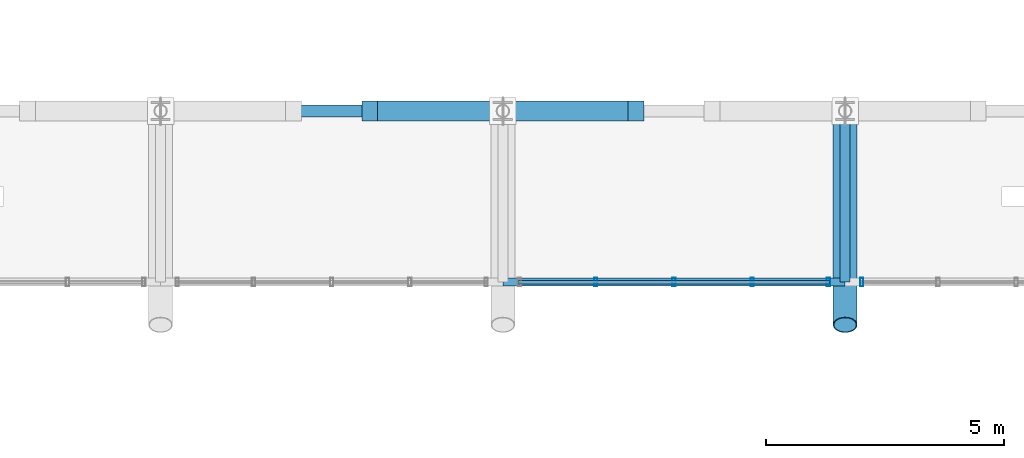
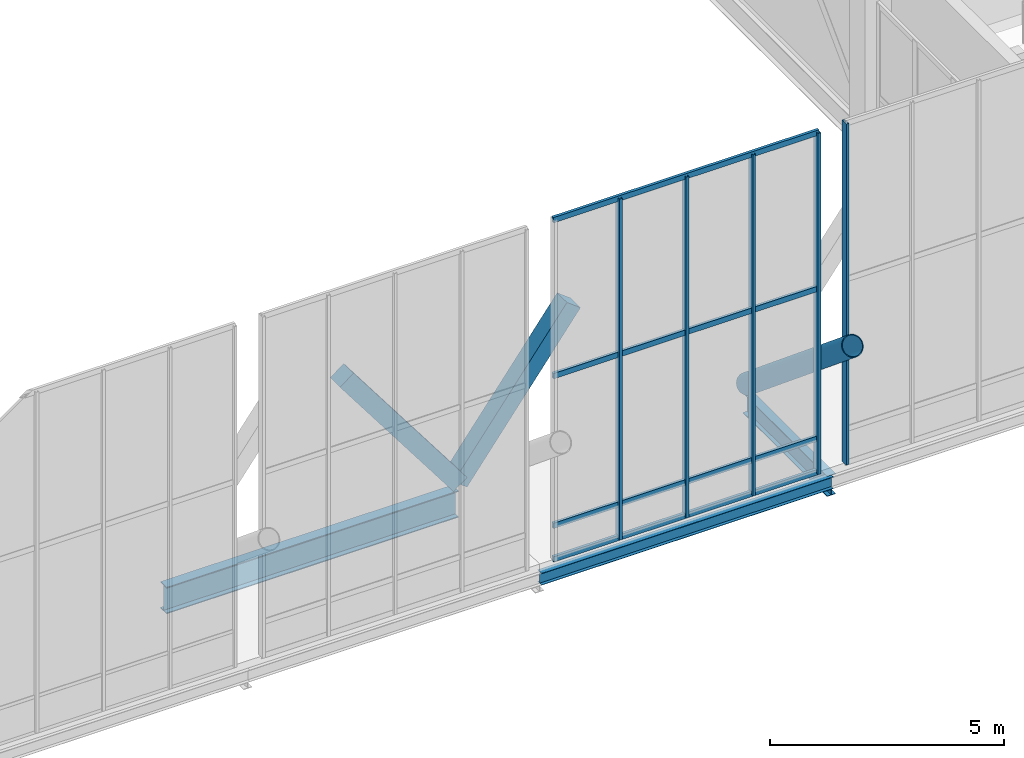
# One storey, part 43 of 102: 12 members, 3 beams, 2 elements without a shape of their own.
"""IFC4 building model written with IfcOpenShell, lengths in metres."""

from ifc_helpers import new_model, si_unit, direction, frame, origin, origin_2d, place, context, subcontext, project, spatial, rectangle, hollow_rectangle, hollow_circle, i_section, extrude, material, material_profile, profile_set, type_object, element, aggregate, save


model = new_model("IFC4")

# Units and contexts
model_context = context("Model", 3, precision=1e-05, world=origin(), true_north=direction((0.0, 1.0)))
body_context = subcontext(model_context, "Body", "Model", "MODEL_VIEW")
ifc_project = project(units=[si_unit("LENGTHUNIT", "METRE"), si_unit("AREAUNIT", "SQUARE_METRE"), si_unit("VOLUMEUNIT", "CUBIC_METRE"), si_unit("PLANEANGLEUNIT", "RADIAN"), si_unit("MASSUNIT", "GRAM", prefix="KILO")], contexts=[model_context])

# Site, building, storey
site_placement = place(None, origin())
site = spatial("IfcSite", under=ifc_project, at=site_placement, CompositionType="ELEMENT")
building_placement = place(site_placement, origin())
building = spatial("IfcBuilding", under=site, at=building_placement, Name="Yarey Park Central Fire Station", CompositionType="ELEMENT")
storey_placement = place(building_placement, frame((0.0, 0.0, 6.0)))
storey = spatial("IfcBuildingStorey", under=building, at=storey_placement, Name="L02", CompositionType="ELEMENT", Elevation=6.0)

# Curtain wall, members
ifc_material_1 = material(Name="Anodized Aluminium Frame", Category="aluminium")
curtain_wall_type = type_object("IfcCurtainWallType", Name="ENV_CW_CLER_9M", PredefinedType="NOTDEFINED", material=ifc_material_1)
curtain_wall_1_placement = place(storey_placement, origin())
curtain_wall_1 = element("IfcCurtainWall", 1, at=curtain_wall_1_placement, inside=storey, type_object=curtain_wall_type, Name="CW_V2_CLER_N_07", PredefinedType="NOTDEFINED")
ifc_material_profile_1 = material_profile(ifc_material_1, hollow_rectangle(XDim=0.070068359375, YDim=0.179931640625, WallThickness=0.00390625, at=origin_2d()), Name="ALU 180x70x4")
ifc_profile_set_1 = profile_set([ifc_material_profile_1], Name="Anodized Aluminium Frame")
member_type_1 = type_object("IfcMemberType", Name="ENV_CW_MULLION", PredefinedType="MULLION", material=ifc_profile_set_1)
member_1_placement = place(storey_placement, frame((107.64990234375, 90.0, 0.0), z_axis=(0.0, 0.0, 1.0), x_axis=(1.0, 0.0, 0.0)))
member_1 = element("IfcMember", 2, at=member_1_placement, type_object=member_type_1, Name="CW_V2_CLER_N_07_MUL1", PredefinedType="MULLION", context=body_context, shape_type="SweptSolid", body=[
    extrude(hollow_rectangle(XDim=0.070068359375, YDim=0.179931640625, WallThickness=0.00390625, at=origin_2d()), origin(), (0.0, 0.0, 1.0), 8.89990234375),
])
member_2_placement = place(storey_placement, frame((106.044921875, 90.0, 0.0), z_axis=(0.0, 0.0, 1.0), x_axis=(1.0, 0.0, 0.0)))
member_2 = element("IfcMember", 3, at=member_2_placement, type_object=member_type_1, Name="CW_V2_CLER_N_07_MUL2", PredefinedType="MULLION", context=body_context, shape_type="SweptSolid", body=[
    extrude(hollow_rectangle(XDim=0.070068359375, YDim=0.179931640625, WallThickness=0.00390625, at=origin_2d()), origin(), (0.0, 0.0, 1.0), 8.89990234375),
])
member_3_placement = place(storey_placement, frame((104.39990234375, 90.0, 0.0), z_axis=(0.0, 0.0, 1.0), x_axis=(1.0, 0.0, 0.0)))
member_3 = element("IfcMember", 4, at=member_3_placement, type_object=member_type_1, Name="CW_V2_CLER_N_07_MUL3", PredefinedType="MULLION", context=body_context, shape_type="SweptSolid", body=[
    extrude(hollow_rectangle(XDim=0.070068359375, YDim=0.179931640625, WallThickness=0.00390625, at=origin_2d()), origin(), (0.0, 0.0, 1.0), 8.89990234375),
])
member_4_placement = place(storey_placement, frame((102.7548828125, 90.0, 0.0), z_axis=(0.0, 0.0, 1.0), x_axis=(1.0, 0.0, 0.0)))
member_4 = element("IfcMember", 5, at=member_4_placement, type_object=member_type_1, Name="CW_V2_CLER_N_07_MUL4", PredefinedType="MULLION", context=body_context, shape_type="SweptSolid", body=[
    extrude(hollow_rectangle(XDim=0.070068359375, YDim=0.179931640625, WallThickness=0.00390625, at=origin_2d()), origin(), (0.0, 0.0, 1.0), 8.89990234375),
])

# Curtain wall, member
curtain_wall_2_placement = place(storey_placement, origin())
curtain_wall_2 = element("IfcCurtainWall", 6, at=curtain_wall_2_placement, inside=storey, type_object=curtain_wall_type, Name="CW_V2_CLER_N_08", PredefinedType="NOTDEFINED")
member_5_placement = place(storey_placement, frame((108.35009765625, 90.0, 0.0), z_axis=(0.0, 0.0, 1.0), x_axis=(1.0, 0.0, 0.0)))
member_5 = element("IfcMember", 7, at=member_5_placement, type_object=member_type_1, Name="CW_V2_CLER_N_08_MUL5", PredefinedType="MULLION", context=body_context, shape_type="SweptSolid", body=[
    extrude(hollow_rectangle(XDim=0.070068359375, YDim=0.179931640625, WallThickness=0.00390625, at=origin_2d()), origin(), (0.0, 0.0, 1.0), 8.89990234375),
])
aggregate(curtain_wall_2, [member_5])

# Member
ifc_material_profile_2 = material_profile(ifc_material_1, hollow_rectangle(XDim=0.070068359375, YDim=0.139892578125, WallThickness=0.00390625, at=origin_2d()), Name="ALU 140x70x4")
ifc_profile_set_2 = profile_set([ifc_material_profile_2], Name="Anodized Aluminium Frame")
member_type_2 = type_object("IfcMemberType", Name="ENV_CW_TRANSOM", PredefinedType="USERDEFINED", material=ifc_profile_set_2)
member_6_placement = place(storey_placement, frame((107.675048828125, 90.0, 0.02490234375), z_axis=(-1.0, 0.0, 0.0), x_axis=(0.0, -1.0, 0.0)))
member_6 = element("IfcMember", 8, at=member_6_placement, type_object=member_type_2, Name="CW_V2_CLER_N_07_TRN1", ObjectType="TRANSOM", PredefinedType="USERDEFINED", context=body_context, shape_type="SweptSolid", body=[
    extrude(hollow_rectangle(XDim=0.070068359375, YDim=0.139892578125, WallThickness=0.00390625, at=origin_2d()), origin(), (0.0, 0.0, 1.0), 6.550048828125),
])

member_7_placement = place(storey_placement, frame((107.675048828125, 90.0, 0.89990234375), z_axis=(-1.0, 0.0, 0.0), x_axis=(0.0, -1.0, 0.0)))
member_7 = element("IfcMember", 9, at=member_7_placement, type_object=member_type_2, Name="CW_V2_CLER_N_07_TRN2", ObjectType="TRANSOM", PredefinedType="USERDEFINED", context=body_context, shape_type="SweptSolid", body=[
    extrude(hollow_rectangle(XDim=0.070068359375, YDim=0.139892578125, WallThickness=0.00390625, at=origin_2d()), origin(), (0.0, 0.0, 1.0), 6.550048828125),
])

member_8_placement = place(storey_placement, frame((107.675048828125, 90.0, 4.805908203125), z_axis=(-1.0, 0.0, 0.0), x_axis=(0.0, -1.0, 0.0)))
member_8 = element("IfcMember", 10, at=member_8_placement, type_object=member_type_2, Name="CW_V2_CLER_N_07_TRN3", ObjectType="TRANSOM", PredefinedType="USERDEFINED", context=body_context, shape_type="SweptSolid", body=[
    extrude(hollow_rectangle(XDim=0.070068359375, YDim=0.139892578125, WallThickness=0.00390625, at=origin_2d()), origin(), (0.0, 0.0, 1.0), 6.550048828125),
])

member_9_placement = place(storey_placement, frame((107.675048828125, 90.0, 8.875), z_axis=(-1.0, 0.0, 0.0), x_axis=(0.0, -1.0, 0.0)))
member_9 = element("IfcMember", 11, at=member_9_placement, type_object=member_type_2, Name="CW_V2_CLER_N_07_TRN4", ObjectType="TRANSOM", PredefinedType="USERDEFINED", context=body_context, shape_type="SweptSolid", body=[
    extrude(hollow_rectangle(XDim=0.070068359375, YDim=0.139892578125, WallThickness=0.00390625, at=origin_2d()), origin(), (0.0, 0.0, 1.0), 6.550048828125),
])

aggregate(curtain_wall_1, [member_1, member_2, member_3, member_4, member_6, member_7, member_8, member_9])

# Beams
ifc_material_2 = material(Name="Steel ASTM A992 Gr. 50", Category="steel")
ifc_material_profile_3 = material_profile(ifc_material_2, i_section(OverallWidth=0.208984375, OverallDepth=0.532958984375, WebThickness=0.01025390625, FlangeThickness=0.015625, at=origin_2d()), Name="W530x92")
ifc_profile_set_3 = profile_set([ifc_material_profile_3], Name="Steel ASTM A992 Gr. 50")
beam_type_1 = type_object("IfcBeamType", Name="STR_BM_W530", PredefinedType="BEAM", material=ifc_profile_set_3)
beam_1_placement = place(storey_placement, frame((108.0, 90.0, -0.46142578125), z_axis=(0.0, 1.0, 0.0), x_axis=(-1.0, 0.0, 0.0)))
element("IfcBeam", 12, at=beam_1_placement, inside=storey, type_object=beam_type_1, Name="EAVE RIB N 07", PredefinedType="BEAM", context=body_context, shape_type="SweptSolid", body=[
    extrude(i_section(OverallWidth=0.208984375, OverallDepth=0.532958984375, WebThickness=0.01025390625, FlangeThickness=0.015625, at=origin_2d()), origin(), (0.0, 0.0, 1.0), 3.60009765625),
])
ifc_material_profile_4 = material_profile(ifc_material_2, i_section(OverallWidth=0.256103515625, OverallDepth=0.693115234375, WebThickness=0.014404296875, FlangeThickness=0.023681640625, at=origin_2d()), Name="W690x170")
ifc_profile_set_4 = profile_set([ifc_material_profile_4], Name="Steel ASTM A992 Gr. 50")
beam_type_2 = type_object("IfcBeamType", Name="STR_BM_W690", PredefinedType="BEAM", material=ifc_profile_set_4)
beam_2_placement = place(storey_placement, frame((93.60009765625, 93.60009765625, -0.54150390625), z_axis=(1.0, 0.0, 0.0), x_axis=(0.0, 1.0, 0.0)))
element("IfcBeam", 13, at=beam_2_placement, inside=storey, type_object=beam_type_2, Name="BMX L02 Y936 X936", PredefinedType="BEAM", context=body_context, shape_type="SweptSolid", body=[
    extrude(i_section(OverallWidth=0.256103515625, OverallDepth=0.693115234375, WebThickness=0.014404296875, FlangeThickness=0.023681640625, at=origin_2d()), origin(), (0.0, 0.0, 1.0), 7.199951171875),
])

# Member
ifc_material_3 = material(Name="Steel ASTM A500 Gr. C", Category="steel")
ifc_material_profile_5 = material_profile(ifc_material_3, hollow_circle(Radius=0.25390625, WallThickness=0.02001953125, at=origin_2d()), Name="CHS 508x20")
ifc_profile_set_5 = profile_set([ifc_material_profile_5], Name="Steel ASTM A500 Gr. C")
member_type_3 = type_object("IfcMemberType", Name="STR_CHORD_CHS508", PredefinedType="CHORD", material=ifc_profile_set_5)
member_10_placement = place(storey_placement, frame((108.0, 89.10009765625, 3.71875), z_axis=(0.0, 0.770847459396, -0.637019775473), x_axis=(-1.0, 0.0, 0.0)))
element("IfcMember", 14, at=member_10_placement, inside=storey, type_object=member_type_3, Name="Arched Roof Truss ART_08 Bottom Chord 8", PredefinedType="CHORD", context=body_context, shape_type="SweptSolid", body=[
    extrude(hollow_circle(Radius=0.25390625, WallThickness=0.02001953125, at=origin_2d()), origin(), (0.0, 0.0, 1.0), 5.837646484375),
])

# Beam
ifc_material_profile_6 = material_profile(ifc_material_2, i_section(OverallWidth=0.1650390625, OverallDepth=0.31005859375, WebThickness=0.005859375, FlangeThickness=0.009765625, at=origin_2d()), Name="W310x39")
ifc_profile_set_6 = profile_set([ifc_material_profile_6], Name="Steel ASTM A992 Gr. 50")
beam_type_3 = type_object("IfcBeamType", Name="STR_SPN_W310", PredefinedType="SPANDREL", material=ifc_profile_set_6)
beam_3_placement = place(storey_placement, frame((100.800048828125, 90.0, -0.35009765625), z_axis=(1.0, 0.0, 0.0), x_axis=(0.0, 1.0, 0.0)))
element("IfcBeam", 15, at=beam_3_placement, inside=storey, type_object=beam_type_3, Name="EAVE EDG N 06", PredefinedType="SPANDREL", context=body_context, shape_type="SweptSolid", body=[
    extrude(i_section(OverallWidth=0.1650390625, OverallDepth=0.31005859375, WebThickness=0.005859375, FlangeThickness=0.009765625, at=origin_2d()), origin(), (0.0, 0.0, 1.0), 7.199951171875),
])

# Members
ifc_material_4 = material(Name="Glulam GL28h", Category="wood")
ifc_material_profile_7 = material_profile(ifc_material_4, rectangle(XDim=0.419921875, YDim=0.419921875, at=origin_2d()), Name="GL 420x420")
ifc_profile_set_7 = profile_set([ifc_material_profile_7], Name="Glulam GL28h")
member_type_4 = type_object("IfcMemberType", Name="STR_STRUT_GL420", PredefinedType="STRUT", material=ifc_profile_set_7)
for number, where, z_axis, x_axis, name in (
    (16, (100.800048828125, 93.60009765625, 0.02001953125), (0.603454425048, 0.0, 0.797397489895), (0.0, 1.0, 0.0), "Raked Glulam Strut RGS-047"),
    (17, (100.800048828125, 93.60009765625, 0.02001953125), (-0.603454425048, 0.0, 0.797397489895), (0.0, -1.0, 0.0), "Raked Glulam Strut RGS-048"),
):
    element("IfcMember", number, at=place(storey_placement, frame(where, z_axis=z_axis, x_axis=x_axis)), inside=storey, type_object=member_type_4, Name=name, PredefinedType="STRUT", context=body_context, shape_type="SweptSolid", body=[
        extrude(rectangle(XDim=0.419921875, YDim=0.419921875, at=origin_2d()), origin(), (0.0, 0.0, 1.0), 4.64013671875),
    ])

save(model, "model.ifc")
